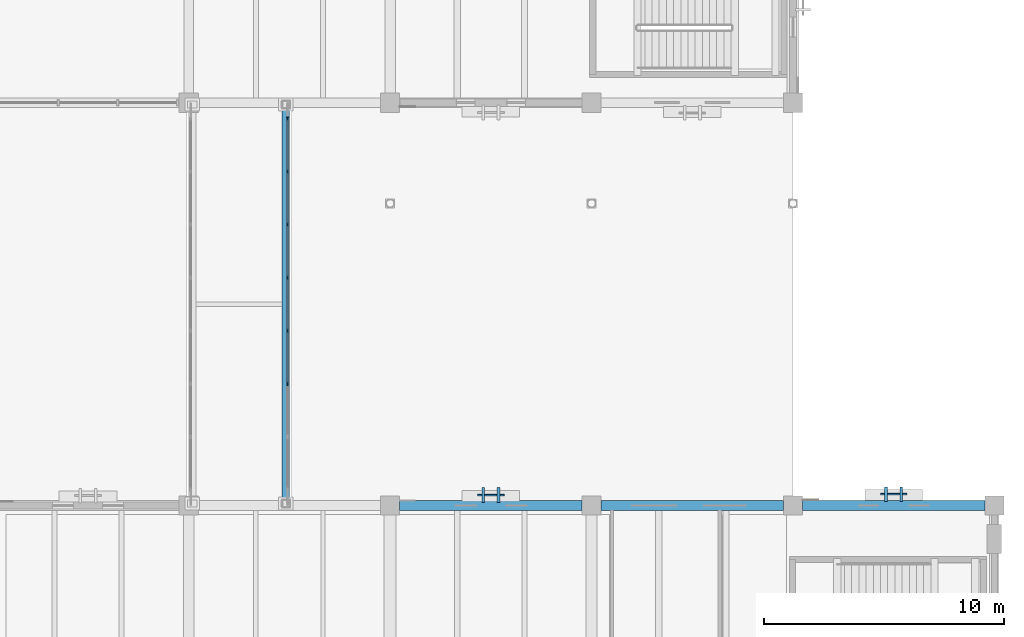
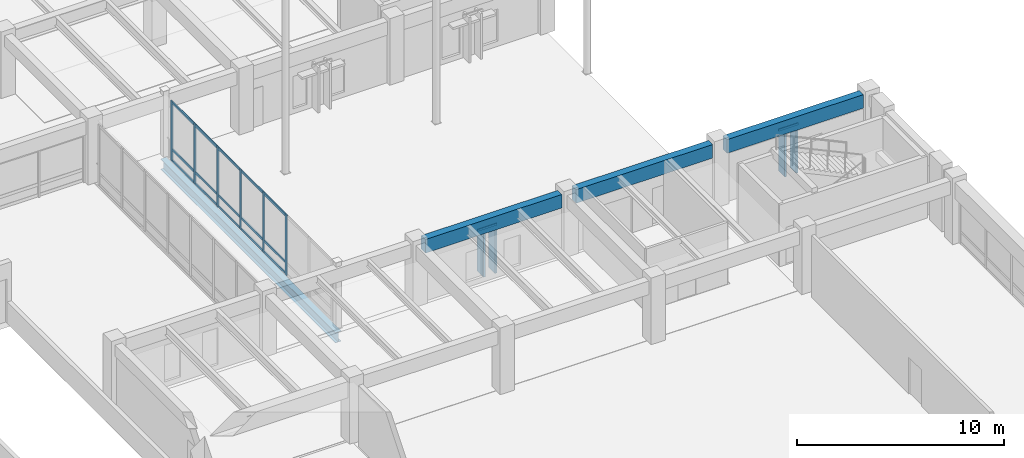
# One storey, part 60 of 135: 27 members, 4 beams, 3 elements without a shape of their own.
"""IFC4 building model written with IfcOpenShell, lengths in metres."""

from ifc_helpers import new_model, si_unit, direction, frame, origin, origin_2d, place, context, subcontext, project, spatial, rectangle, i_section, extrude, material, material_profile, profile_set, type_object, element, aggregate, save


model = new_model("IFC4")

# Units and contexts
model_context = context("Model", 3, precision=1e-05, world=origin(), true_north=direction((0.0, 1.0)))
body_context = subcontext(model_context, "Body", "Model", "MODEL_VIEW")
ifc_project = project(units=[si_unit("LENGTHUNIT", "METRE"), si_unit("AREAUNIT", "SQUARE_METRE"), si_unit("VOLUMEUNIT", "CUBIC_METRE"), si_unit("PLANEANGLEUNIT", "RADIAN"), si_unit("MASSUNIT", "GRAM", prefix="KILO")], contexts=[model_context])

# Site, building, storey
site_placement = place(None, origin())
site = spatial("IfcSite", under=ifc_project, at=site_placement, CompositionType="ELEMENT")
building_placement = place(site_placement, origin())
building = spatial("IfcBuilding", under=site, at=building_placement, Name="Cumbredor Promenade Congress Hotel", CompositionType="ELEMENT")
storey_placement = place(building_placement, origin())
storey = spatial("IfcBuildingStorey", under=building, at=storey_placement, Name="L00", CompositionType="ELEMENT", Elevation=0.0)

# Beam
ifc_material_1 = material(Name="Steel ASTM A992 Grade 50", Category="steel")
ifc_material_profile_1 = material_profile(ifc_material_1, i_section(OverallWidth=0.323974609375, OverallDepth=0.611083984375, WebThickness=0.0126953125, FlangeThickness=0.01904296875, at=origin_2d()), Name="W24X104")
ifc_profile_set_1 = profile_set([ifc_material_profile_1], Name="Steel ASTM A992 Grade 50")
beam_type_1 = type_object("IfcBeamType", Name="BM-W24X104", PredefinedType="BEAM", material=ifc_profile_set_1)
beam_1_placement = place(storey_placement, frame((155.25, 67.159912109375, -0.525390625), z_axis=(0.0, 1.0, 0.0), x_axis=(-1.0, 0.0, 0.0)))
element("IfcBeam", 1, at=beam_1_placement, inside=storey, type_object=beam_type_1, Name="L00 East Ballroom-to-Forum Glazed Bridge Edge Girder 2", PredefinedType="BEAM", context=body_context, shape_type="SweptSolid", body=[
    extrude(i_section(OverallWidth=0.323974609375, OverallDepth=0.611083984375, WebThickness=0.0126953125, FlangeThickness=0.01904296875, at=origin_2d()), origin(), (0.0, 0.0, 1.0), 16.880126953125),
])

# Curtain wall, members
ifc_material_2 = material(Name="Thermally broken anodized aluminium and low-E glass", Category="aluminium")
curtain_wall_type_1 = type_object("IfcCurtainWallType", Name="Unitised Bridge Glazing Screen CW-05", PredefinedType="NOTDEFINED", material=ifc_material_2)
curtain_wall_1_placement = place(storey_placement, origin())
curtain_wall_1 = element("IfcCurtainWall", 2, at=curtain_wall_1_placement, inside=storey, type_object=curtain_wall_type_1, Name="L00 East Ballroom-to-Forum Glazed Bridge East Glazing Screen", PredefinedType="NOTDEFINED")
ifc_material_3 = material(Name="Thermally broken anodized aluminium", Category="aluminium")
ifc_material_profile_2 = material_profile(ifc_material_3, rectangle(XDim=0.06494140625, YDim=0.159912109375, at=origin_2d()), Name="ALU MULLION 65x160")
ifc_profile_set_2 = profile_set([ifc_material_profile_2], Name="Thermally broken anodized aluminium")
member_type_1 = type_object("IfcMemberType", Name="Curtain Wall Mullion ML-01", PredefinedType="MULLION", material=ifc_profile_set_2)
member_1_placement = place(storey_placement, frame((155.320068359375, 72.282958984375, -0.008056640625), z_axis=(0.0, 0.0, 1.0), x_axis=(1.0, 0.0, 0.0)))
member_1 = element("IfcMember", 3, at=member_1_placement, type_object=member_type_1, Name="L00 East Ballroom-to-Forum Glazed Bridge East Glazing Screen Mullion 3", PredefinedType="MULLION", context=body_context, shape_type="SweptSolid", body=[
    extrude(rectangle(XDim=0.06494140625, YDim=0.159912109375, at=origin_2d()), origin(), (0.0, 0.0, 1.0), 3.55615234375),
])
member_2_placement = place(storey_placement, frame((155.320068359375, 74.494384765625, -0.008056640625), z_axis=(0.0, 0.0, 1.0), x_axis=(1.0, 0.0, 0.0)))
member_2 = element("IfcMember", 4, at=member_2_placement, type_object=member_type_1, Name="L00 East Ballroom-to-Forum Glazed Bridge East Glazing Screen Mullion 4", PredefinedType="MULLION", context=body_context, shape_type="SweptSolid", body=[
    extrude(rectangle(XDim=0.06494140625, YDim=0.159912109375, at=origin_2d()), origin(), (0.0, 0.0, 1.0), 3.55615234375),
])
member_3_placement = place(storey_placement, frame((155.320068359375, 76.705810546875, -0.008056640625), z_axis=(0.0, 0.0, 1.0), x_axis=(1.0, 0.0, 0.0)))
member_3 = element("IfcMember", 5, at=member_3_placement, type_object=member_type_1, Name="L00 East Ballroom-to-Forum Glazed Bridge East Glazing Screen Mullion 5", PredefinedType="MULLION", context=body_context, shape_type="SweptSolid", body=[
    extrude(rectangle(XDim=0.06494140625, YDim=0.159912109375, at=origin_2d()), origin(), (0.0, 0.0, 1.0), 3.55615234375),
])
member_4_placement = place(storey_placement, frame((155.320068359375, 78.9169921875, -0.008056640625), z_axis=(0.0, 0.0, 1.0), x_axis=(1.0, 0.0, 0.0)))
member_4 = element("IfcMember", 6, at=member_4_placement, type_object=member_type_1, Name="L00 East Ballroom-to-Forum Glazed Bridge East Glazing Screen Mullion 6", PredefinedType="MULLION", context=body_context, shape_type="SweptSolid", body=[
    extrude(rectangle(XDim=0.06494140625, YDim=0.159912109375, at=origin_2d()), origin(), (0.0, 0.0, 1.0), 3.55615234375),
])
member_5_placement = place(storey_placement, frame((155.320068359375, 81.128662109375, -0.008056640625), z_axis=(0.0, 0.0, 1.0), x_axis=(1.0, 0.0, 0.0)))
member_5 = element("IfcMember", 7, at=member_5_placement, type_object=member_type_1, Name="L00 East Ballroom-to-Forum Glazed Bridge East Glazing Screen Mullion 7", PredefinedType="MULLION", context=body_context, shape_type="SweptSolid", body=[
    extrude(rectangle(XDim=0.06494140625, YDim=0.159912109375, at=origin_2d()), origin(), (0.0, 0.0, 1.0), 3.55615234375),
])
member_6_placement = place(storey_placement, frame((155.320068359375, 83.340087890625, -0.008056640625), z_axis=(0.0, 0.0, 1.0), x_axis=(1.0, 0.0, 0.0)))
member_6 = element("IfcMember", 8, at=member_6_placement, type_object=member_type_1, Name="L00 East Ballroom-to-Forum Glazed Bridge East Glazing Screen Mullion 8", PredefinedType="MULLION", context=body_context, shape_type="SweptSolid", body=[
    extrude(rectangle(XDim=0.06494140625, YDim=0.159912109375, at=origin_2d()), origin(), (0.0, 0.0, 1.0), 3.55615234375),
])

# Curtain wall, member
curtain_wall_type_2 = type_object("IfcCurtainWallType", Name="Solar Brise-Soleil Screen Assembly CW-07", PredefinedType="NOTDEFINED", material=ifc_material_2)
curtain_wall_2_placement = place(storey_placement, origin())
curtain_wall_2 = element("IfcCurtainWall", 9, at=curtain_wall_2_placement, inside=storey, type_object=curtain_wall_type_2, Name="L00 Pier Brise-Soleil Screen 0025", PredefinedType="NOTDEFINED")
ifc_material_profile_3 = material_profile(ifc_material_3, rectangle(XDim=0.06494140625, YDim=0.1298828125, at=origin_2d()), Name="ALU TRANSOM 65x130")
ifc_profile_set_3 = profile_set([ifc_material_profile_3], Name="Thermally broken anodized aluminium")
member_type_2 = type_object("IfcMemberType", Name="Curtain Wall Transom TR-01", PredefinedType="USERDEFINED", material=ifc_profile_set_3)
member_7_placement = place(storey_placement, frame((163.25, 67.635009765625, 2.6650390625), z_axis=(1.0, 0.0, 0.0), x_axis=(0.0, 1.0, 0.0)))
member_7 = element("IfcMember", 10, at=member_7_placement, type_object=member_type_2, Name="L00 Pier Brise-Soleil Header 0027", ObjectType="TRANSOM", PredefinedType="USERDEFINED", context=body_context, shape_type="SweptSolid", body=[
    extrude(rectangle(XDim=0.06494140625, YDim=0.1298828125, at=origin_2d()), origin(), (0.0, 0.0, 1.0), 1.10009765625),
])

curtain_wall_3_placement = place(storey_placement, origin())
curtain_wall_3 = element("IfcCurtainWall", 11, at=curtain_wall_3_placement, inside=storey, type_object=curtain_wall_type_2, Name="L00 Pier Brise-Soleil Screen 0028", PredefinedType="NOTDEFINED")
member_8_placement = place(storey_placement, frame((180.050048828125, 67.672607421875, 2.6650390625), z_axis=(1.0, 0.0, 0.0), x_axis=(0.0, 1.0, 0.0)))
member_8 = element("IfcMember", 12, at=member_8_placement, type_object=member_type_2, Name="L00 Pier Brise-Soleil Header 0030", ObjectType="TRANSOM", PredefinedType="USERDEFINED", context=body_context, shape_type="SweptSolid", body=[
    extrude(rectangle(XDim=0.06494140625, YDim=0.1298828125, at=origin_2d()), origin(), (0.0, 0.0, 1.0), 1.099853515625),
])

# Member
member_9_placement = place(storey_placement, frame((155.320068359375, 72.3154296875, 0.070068359375), z_axis=(0.0, 1.0, 0.0), x_axis=(-1.0, 0.0, 0.0)))
member_9 = element("IfcMember", 13, at=member_9_placement, type_object=member_type_2, Name="L00 East Ballroom-to-Forum Glazed Bridge East Glazing Screen Transom 3.1", ObjectType="TRANSOM", PredefinedType="USERDEFINED", context=body_context, shape_type="SweptSolid", body=[
    extrude(rectangle(XDim=0.06494140625, YDim=0.1298828125, at=origin_2d()), origin(), (0.0, 0.0, 1.0), 2.146484375),
])

member_10_placement = place(storey_placement, frame((155.320068359375, 72.3154296875, 0.719970703125), z_axis=(0.0, 1.0, 0.0), x_axis=(-1.0, 0.0, 0.0)))
member_10 = element("IfcMember", 14, at=member_10_placement, type_object=member_type_2, Name="L00 East Ballroom-to-Forum Glazed Bridge East Glazing Screen Transom 3.2", ObjectType="TRANSOM", PredefinedType="USERDEFINED", context=body_context, shape_type="SweptSolid", body=[
    extrude(rectangle(XDim=0.06494140625, YDim=0.1298828125, at=origin_2d()), origin(), (0.0, 0.0, 1.0), 2.146484375),
])

member_11_placement = place(storey_placement, frame((155.320068359375, 72.3154296875, 3.47998046875), z_axis=(0.0, 1.0, 0.0), x_axis=(-1.0, 0.0, 0.0)))
member_11 = element("IfcMember", 15, at=member_11_placement, type_object=member_type_2, Name="L00 East Ballroom-to-Forum Glazed Bridge East Glazing Screen Transom 3.3", ObjectType="TRANSOM", PredefinedType="USERDEFINED", context=body_context, shape_type="SweptSolid", body=[
    extrude(rectangle(XDim=0.06494140625, YDim=0.1298828125, at=origin_2d()), origin(), (0.0, 0.0, 1.0), 2.146484375),
])

member_12_placement = place(storey_placement, frame((155.320068359375, 74.52685546875, 0.070068359375), z_axis=(0.0, 1.0, 0.0), x_axis=(-1.0, 0.0, 0.0)))
member_12 = element("IfcMember", 16, at=member_12_placement, type_object=member_type_2, Name="L00 East Ballroom-to-Forum Glazed Bridge East Glazing Screen Transom 4.1", ObjectType="TRANSOM", PredefinedType="USERDEFINED", context=body_context, shape_type="SweptSolid", body=[
    extrude(rectangle(XDim=0.06494140625, YDim=0.1298828125, at=origin_2d()), origin(), (0.0, 0.0, 1.0), 2.146240234375),
])

member_13_placement = place(storey_placement, frame((155.320068359375, 74.52685546875, 0.719970703125), z_axis=(0.0, 1.0, 0.0), x_axis=(-1.0, 0.0, 0.0)))
member_13 = element("IfcMember", 17, at=member_13_placement, type_object=member_type_2, Name="L00 East Ballroom-to-Forum Glazed Bridge East Glazing Screen Transom 4.2", ObjectType="TRANSOM", PredefinedType="USERDEFINED", context=body_context, shape_type="SweptSolid", body=[
    extrude(rectangle(XDim=0.06494140625, YDim=0.1298828125, at=origin_2d()), origin(), (0.0, 0.0, 1.0), 2.146240234375),
])

member_14_placement = place(storey_placement, frame((155.320068359375, 74.52685546875, 3.47998046875), z_axis=(0.0, 1.0, 0.0), x_axis=(-1.0, 0.0, 0.0)))
member_14 = element("IfcMember", 18, at=member_14_placement, type_object=member_type_2, Name="L00 East Ballroom-to-Forum Glazed Bridge East Glazing Screen Transom 4.3", ObjectType="TRANSOM", PredefinedType="USERDEFINED", context=body_context, shape_type="SweptSolid", body=[
    extrude(rectangle(XDim=0.06494140625, YDim=0.1298828125, at=origin_2d()), origin(), (0.0, 0.0, 1.0), 2.146240234375),
])

member_15_placement = place(storey_placement, frame((155.320068359375, 76.73828125, 0.070068359375), z_axis=(0.0, 1.0, 0.0), x_axis=(-1.0, 0.0, 0.0)))
member_15 = element("IfcMember", 19, at=member_15_placement, type_object=member_type_2, Name="L00 East Ballroom-to-Forum Glazed Bridge East Glazing Screen Transom 5.1", ObjectType="TRANSOM", PredefinedType="USERDEFINED", context=body_context, shape_type="SweptSolid", body=[
    extrude(rectangle(XDim=0.06494140625, YDim=0.1298828125, at=origin_2d()), origin(), (0.0, 0.0, 1.0), 2.146240234375),
])

member_16_placement = place(storey_placement, frame((155.320068359375, 76.73828125, 0.719970703125), z_axis=(0.0, 1.0, 0.0), x_axis=(-1.0, 0.0, 0.0)))
member_16 = element("IfcMember", 20, at=member_16_placement, type_object=member_type_2, Name="L00 East Ballroom-to-Forum Glazed Bridge East Glazing Screen Transom 5.2", ObjectType="TRANSOM", PredefinedType="USERDEFINED", context=body_context, shape_type="SweptSolid", body=[
    extrude(rectangle(XDim=0.06494140625, YDim=0.1298828125, at=origin_2d()), origin(), (0.0, 0.0, 1.0), 2.146240234375),
])

member_17_placement = place(storey_placement, frame((155.320068359375, 76.73828125, 3.47998046875), z_axis=(0.0, 1.0, 0.0), x_axis=(-1.0, 0.0, 0.0)))
member_17 = element("IfcMember", 21, at=member_17_placement, type_object=member_type_2, Name="L00 East Ballroom-to-Forum Glazed Bridge East Glazing Screen Transom 5.3", ObjectType="TRANSOM", PredefinedType="USERDEFINED", context=body_context, shape_type="SweptSolid", body=[
    extrude(rectangle(XDim=0.06494140625, YDim=0.1298828125, at=origin_2d()), origin(), (0.0, 0.0, 1.0), 2.146240234375),
])

member_18_placement = place(storey_placement, frame((155.320068359375, 78.94970703125, 0.070068359375), z_axis=(0.0, 1.0, 0.0), x_axis=(-1.0, 0.0, 0.0)))
member_18 = element("IfcMember", 22, at=member_18_placement, type_object=member_type_2, Name="L00 East Ballroom-to-Forum Glazed Bridge East Glazing Screen Transom 6.1", ObjectType="TRANSOM", PredefinedType="USERDEFINED", context=body_context, shape_type="SweptSolid", body=[
    extrude(rectangle(XDim=0.06494140625, YDim=0.1298828125, at=origin_2d()), origin(), (0.0, 0.0, 1.0), 2.146484375),
])

member_19_placement = place(storey_placement, frame((155.320068359375, 78.94970703125, 0.719970703125), z_axis=(0.0, 1.0, 0.0), x_axis=(-1.0, 0.0, 0.0)))
member_19 = element("IfcMember", 23, at=member_19_placement, type_object=member_type_2, Name="L00 East Ballroom-to-Forum Glazed Bridge East Glazing Screen Transom 6.2", ObjectType="TRANSOM", PredefinedType="USERDEFINED", context=body_context, shape_type="SweptSolid", body=[
    extrude(rectangle(XDim=0.06494140625, YDim=0.1298828125, at=origin_2d()), origin(), (0.0, 0.0, 1.0), 2.146484375),
])

member_20_placement = place(storey_placement, frame((155.320068359375, 78.94970703125, 3.47998046875), z_axis=(0.0, 1.0, 0.0), x_axis=(-1.0, 0.0, 0.0)))
member_20 = element("IfcMember", 24, at=member_20_placement, type_object=member_type_2, Name="L00 East Ballroom-to-Forum Glazed Bridge East Glazing Screen Transom 6.3", ObjectType="TRANSOM", PredefinedType="USERDEFINED", context=body_context, shape_type="SweptSolid", body=[
    extrude(rectangle(XDim=0.06494140625, YDim=0.1298828125, at=origin_2d()), origin(), (0.0, 0.0, 1.0), 2.146484375),
])

member_21_placement = place(storey_placement, frame((155.320068359375, 81.1611328125, 0.070068359375), z_axis=(0.0, 1.0, 0.0), x_axis=(-1.0, 0.0, 0.0)))
member_21 = element("IfcMember", 25, at=member_21_placement, type_object=member_type_2, Name="L00 East Ballroom-to-Forum Glazed Bridge East Glazing Screen Transom 7.1", ObjectType="TRANSOM", PredefinedType="USERDEFINED", context=body_context, shape_type="SweptSolid", body=[
    extrude(rectangle(XDim=0.06494140625, YDim=0.1298828125, at=origin_2d()), origin(), (0.0, 0.0, 1.0), 2.146484375),
])

member_22_placement = place(storey_placement, frame((155.320068359375, 81.1611328125, 0.719970703125), z_axis=(0.0, 1.0, 0.0), x_axis=(-1.0, 0.0, 0.0)))
member_22 = element("IfcMember", 26, at=member_22_placement, type_object=member_type_2, Name="L00 East Ballroom-to-Forum Glazed Bridge East Glazing Screen Transom 7.2", ObjectType="TRANSOM", PredefinedType="USERDEFINED", context=body_context, shape_type="SweptSolid", body=[
    extrude(rectangle(XDim=0.06494140625, YDim=0.1298828125, at=origin_2d()), origin(), (0.0, 0.0, 1.0), 2.146484375),
])

member_23_placement = place(storey_placement, frame((155.320068359375, 81.1611328125, 3.47998046875), z_axis=(0.0, 1.0, 0.0), x_axis=(-1.0, 0.0, 0.0)))
member_23 = element("IfcMember", 27, at=member_23_placement, type_object=member_type_2, Name="L00 East Ballroom-to-Forum Glazed Bridge East Glazing Screen Transom 7.3", ObjectType="TRANSOM", PredefinedType="USERDEFINED", context=body_context, shape_type="SweptSolid", body=[
    extrude(rectangle(XDim=0.06494140625, YDim=0.1298828125, at=origin_2d()), origin(), (0.0, 0.0, 1.0), 2.146484375),
])

aggregate(curtain_wall_1, [member_1, member_2, member_3, member_4, member_5, member_6, member_9, member_10, member_11, member_12, member_13, member_14, member_15, member_16, member_17, member_18, member_19, member_20, member_21, member_22, member_23])

# Beams
ifc_material_4 = material(Name="Concrete C40/50", Category="concrete")
ifc_material_profile_4 = material_profile(ifc_material_4, rectangle(XDim=0.39990234375, YDim=0.800048828125, at=origin_2d()), Name="RC SPANDREL 400x800")
ifc_profile_set_4 = profile_set([ifc_material_profile_4], Name="Concrete C40/50")
beam_type_2 = type_object("IfcBeamType", Name="SP-RC-400x800", PredefinedType="SPANDREL", material=ifc_profile_set_4)
for number, where, z_axis, x_axis, name in (
    (28, (160.0, 67.199951171875, 3.239990234375), (1.0, 0.0, 0.0), (0.0, 1.0, 0.0), "L01 X-Grid Beam 245"),
    (29, (168.39990234375, 67.199951171875, 3.239990234375), (1.0, 0.0, 0.0), (0.0, 1.0, 0.0), "L01 X-Grid Beam 260"),
):
    element("IfcBeam", number, at=place(storey_placement, frame(where, z_axis=z_axis, x_axis=x_axis)), inside=storey, type_object=beam_type_2, Name=name, PredefinedType="SPANDREL", context=body_context, shape_type="SweptSolid", body=[
        extrude(rectangle(XDim=0.39990234375, YDim=0.800048828125, at=origin_2d()), origin(), (0.0, 0.0, 1.0), 7.60009765625),
    ])
beam_2_placement = place(storey_placement, frame((176.800048828125, 67.199951171875, 3.239990234375), z_axis=(1.0, 0.0, 0.0), x_axis=(0.0, 1.0, 0.0)))
element("IfcBeam", 30, at=beam_2_placement, inside=storey, type_object=beam_type_2, Name="L01 X-Grid Beam 271", PredefinedType="SPANDREL", context=body_context, shape_type="SweptSolid", body=[
    extrude(rectangle(XDim=0.39990234375, YDim=0.800048828125, at=origin_2d()), origin(), (0.0, 0.0, 1.0), 7.599853515625),
])

# Member
ifc_material_profile_5 = material_profile(ifc_material_3, rectangle(XDim=0.110107421875, YDim=0.6201171875, at=origin_2d()), Name="ARCH FIN 110x620")
ifc_profile_set_5 = profile_set([ifc_material_profile_5], Name="Thermally broken anodized aluminium")
member_type_3 = type_object("IfcMemberType", Name="Vertical Bronze Brise-Soleil Fin BSF-02 110x620", PredefinedType="USERDEFINED", material=ifc_profile_set_5)
member_24_placement = place(storey_placement, frame((163.47998046875, 67.635009765625, 0.02001953125), z_axis=(0.0, 0.0, 1.0), x_axis=(1.0, 0.0, 0.0)))
member_24 = element("IfcMember", 31, at=member_24_placement, type_object=member_type_3, Name="L00 Pier Brise-Soleil Fin 0026", ObjectType="SOLAR FIN", PredefinedType="USERDEFINED", context=body_context, shape_type="SweptSolid", body=[
    extrude(rectangle(XDim=0.110107421875, YDim=0.6201171875, at=origin_2d()), origin(), (0.0, 0.0, 1.0), 2.68505859375),
])

member_25_placement = place(storey_placement, frame((164.1201171875, 67.635009765625, 0.02001953125), z_axis=(0.0, 0.0, 1.0), x_axis=(1.0, 0.0, 0.0)))
member_25 = element("IfcMember", 32, at=member_25_placement, type_object=member_type_3, Name="L00 Pier Brise-Soleil Fin 0027", ObjectType="SOLAR FIN", PredefinedType="USERDEFINED", context=body_context, shape_type="SweptSolid", body=[
    extrude(rectangle(XDim=0.110107421875, YDim=0.6201171875, at=origin_2d()), origin(), (0.0, 0.0, 1.0), 2.68505859375),
])

aggregate(curtain_wall_2, [member_24, member_25, member_7])

member_26_placement = place(storey_placement, frame((180.280029296875, 67.672607421875, 0.02001953125), z_axis=(0.0, 0.0, 1.0), x_axis=(1.0, 0.0, 0.0)))
member_26 = element("IfcMember", 33, at=member_26_placement, type_object=member_type_3, Name="L00 Pier Brise-Soleil Fin 0029", ObjectType="SOLAR FIN", PredefinedType="USERDEFINED", context=body_context, shape_type="SweptSolid", body=[
    extrude(rectangle(XDim=0.110107421875, YDim=0.6201171875, at=origin_2d()), origin(), (0.0, 0.0, 1.0), 2.68505859375),
])

member_27_placement = place(storey_placement, frame((180.919921875, 67.672607421875, 0.02001953125), z_axis=(0.0, 0.0, 1.0), x_axis=(1.0, 0.0, 0.0)))
member_27 = element("IfcMember", 34, at=member_27_placement, type_object=member_type_3, Name="L00 Pier Brise-Soleil Fin 0030", ObjectType="SOLAR FIN", PredefinedType="USERDEFINED", context=body_context, shape_type="SweptSolid", body=[
    extrude(rectangle(XDim=0.110107421875, YDim=0.6201171875, at=origin_2d()), origin(), (0.0, 0.0, 1.0), 2.68505859375),
])

aggregate(curtain_wall_3, [member_26, member_27, member_8])

save(model, "model.ifc")
